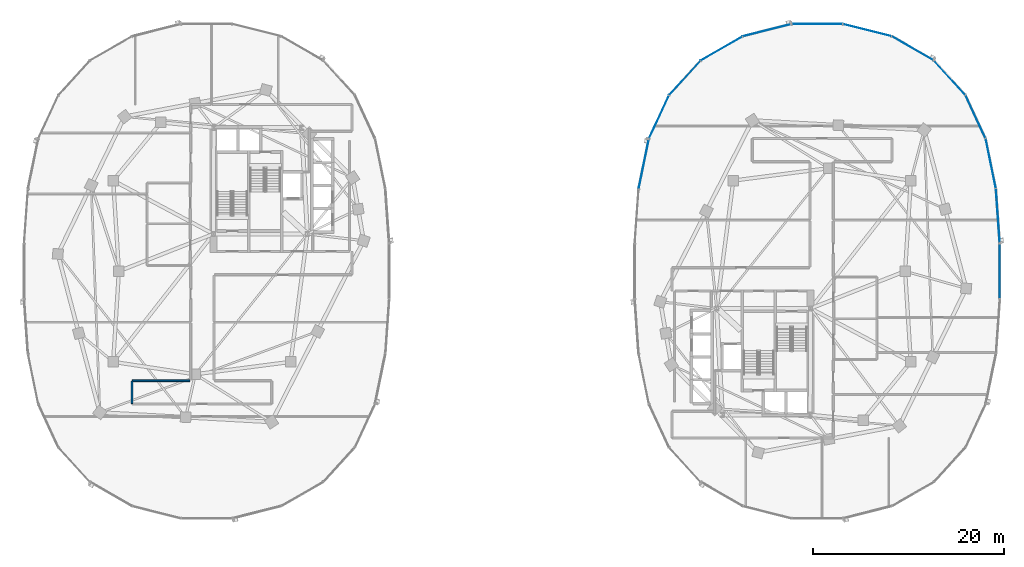
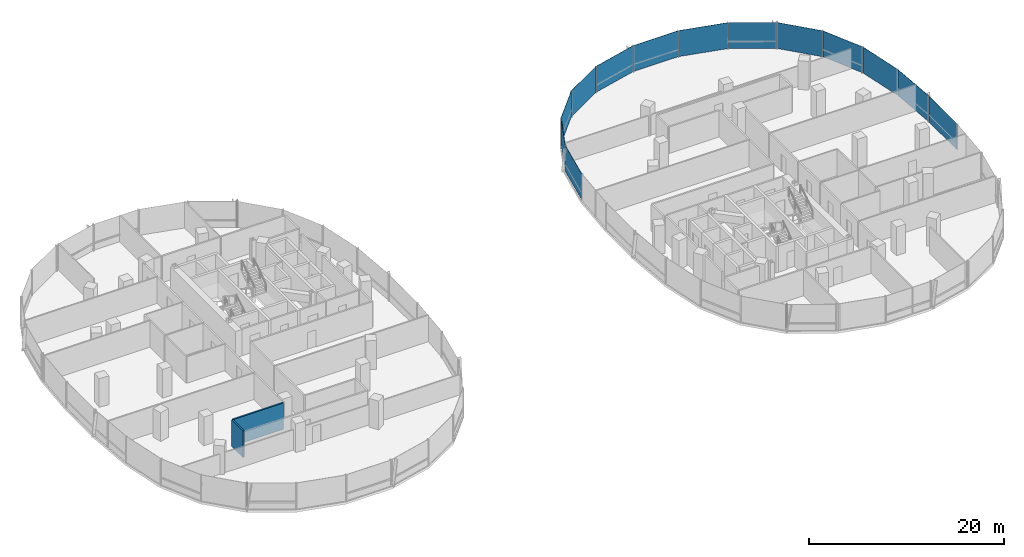
# One storey, part 10 of 21: 13 plates, 2 walls, 3 elements without a shape of their own.
"""IFC4 building model written with IfcOpenShell, lengths in metres."""

from ifc_helpers import new_model, si_unit, direction, frame, frame_2d, origin, origin_2d, place, context, subcontext, project, spatial, rectangle, extrude, material, layer, layer_set, type_object, element, aggregate, save


model = new_model("IFC4")

# Units and contexts
model_context = context("Model", 3, precision=1e-05, world=origin(), true_north=direction((0.0, 1.0)))
body_context = subcontext(model_context, "Body", "Model", "MODEL_VIEW")
ifc_project = project(units=[si_unit("LENGTHUNIT", "METRE"), si_unit("AREAUNIT", "SQUARE_METRE"), si_unit("VOLUMEUNIT", "CUBIC_METRE"), si_unit("PLANEANGLEUNIT", "RADIAN"), si_unit("MASSUNIT", "GRAM", prefix="KILO"), si_unit("THERMODYNAMICTEMPERATUREUNIT", "KELVIN"), si_unit("POWERUNIT", "WATT")], contexts=[model_context])

# Site, building, storey
site_placement = place(None, origin())
site = spatial("IfcSite", under=ifc_project, at=site_placement, CompositionType="ELEMENT")
building_placement = place(site_placement, origin())
building = spatial("IfcBuilding", under=site, at=building_placement, Name="Cundina Bronze Exchange", CompositionType="ELEMENT")
storey_placement = place(building_placement, frame((0.0, 0.0, 117.800048828125)))
storey = spatial("IfcBuildingStorey", under=building, at=storey_placement, Name="L30", CompositionType="ELEMENT", Elevation=117.800048828125)

# Curtain wall, plates
ifc_material_1 = material(Name="Anodised Bronze Aluminium 6063-T6", Category="aluminium")
curtain_wall_type = type_object("IfcCurtainWallType", Name="CWS-TRD-MID", PredefinedType="NOTDEFINED", material=ifc_material_1)
curtain_wall_1_placement = place(storey_placement, origin())
curtain_wall_1 = element("IfcCurtainWall", 1, at=curtain_wall_1_placement, inside=storey, type_object=curtain_wall_type, Name="L30 CW-03 Curtain Wall Run CWR-L30-E1", PredefinedType="NOTDEFINED")
ifc_material_2 = material(Name="Heat-Strengthened Solar-Control Bronze Safety Glass 28mm", Category="glass")
ifc_layer_1 = layer(ifc_material_2, 0.028076171875, Name="Heat-Strengthened Solar-Control Bronze Safety Glass 28mm", Category="glass")
ifc_layer_set_1 = layer_set([ifc_layer_1], Name="Heat-Strengthened Solar-Control Bronze Safety Glass 28mm")
plate_type_1 = type_object("IfcPlateType", Name="PLT-GLZ-VIS28", PredefinedType="CURTAIN_PANEL", material=ifc_layer_set_1)
plate_1_placement = place(storey_placement, frame((50.9267578125, 5.783935546875, 0.02001953125), z_axis=(0.0, 0.0, 1.0), x_axis=(-0.070278787473, 0.997527389113, 0.0)))
plate_1 = element("IfcPlate", 2, at=plate_1_placement, type_object=plate_type_1, Name="CW-03 Glazed Panel 1", PredefinedType="CURTAIN_PANEL", context=body_context, shape_type="SweptSolid", body=[
    extrude(rectangle(XDim=5.644287109375, YDim=0.028076171875, at=origin_2d()), origin(), (0.0, 0.0, 1.0), 3.260009765625),
])
plate_2_placement = place(storey_placement, frame((50.18408203125, 11.269775390625, 0.02001953125), z_axis=(0.0, 0.0, 1.0), x_axis=(-0.201419845156, 0.979505000486, 0.0)))
plate_2 = element("IfcPlate", 3, at=plate_2_placement, type_object=plate_type_1, Name="CW-03 Glazed Panel 2", PredefinedType="CURTAIN_PANEL", context=body_context, shape_type="SweptSolid", body=[
    extrude(rectangle(XDim=5.306640625, YDim=0.028076171875, at=origin_2d()), origin(), (0.0, 0.0, 1.0), 3.260009765625),
])
plate_3_placement = place(storey_placement, frame((48.586181640625, 16.177734375, 0.02001953125), z_axis=(0.0, 0.0, 1.0), x_axis=(-0.42084583328, 0.907132175932, 0.0)))
plate_3 = element("IfcPlate", 4, at=plate_3_placement, type_object=plate_type_1, Name="CW-03 Glazed Panel 3", PredefinedType="CURTAIN_PANEL", context=body_context, shape_type="SweptSolid", body=[
    extrude(rectangle(XDim=4.966552734375, YDim=0.028076171875, at=origin_2d()), origin(), (0.0, 0.0, 1.0), 3.260009765625),
])
plate_4_placement = place(storey_placement, frame((45.8740234375, 20.267333984375, 0.02001953125), z_axis=(0.0, 0.0, 1.0), x_axis=(-0.674276610219, 0.73847887777, 0.0)))
plate_4 = element("IfcPlate", 5, at=plate_4_placement, type_object=plate_type_1, Name="CW-03 Glazed Panel 4", PredefinedType="CURTAIN_PANEL", context=body_context, shape_type="SweptSolid", body=[
    extrude(rectangle(XDim=4.86328125, YDim=0.028076171875, at=origin_2d()), origin(), (0.0, 0.0, 1.0), 3.260009765625),
])
plate_5_placement = place(storey_placement, frame((37.255615234375, 25.256591796875, 0.02001953125), z_axis=(0.0, 0.0, 1.0), x_axis=(-0.969488149345, 0.245138182011, 0.0)))
plate_5 = element("IfcPlate", 6, at=plate_5_placement, type_object=plate_type_1, Name="CW-03 Glazed Panel 6", PredefinedType="CURTAIN_PANEL", context=body_context, shape_type="SweptSolid", body=[
    extrude(rectangle(XDim=5.2333984375, YDim=0.028076171875, at=origin_2d()), origin(), (0.0, 0.0, 1.0), 3.260009765625),
])
plate_6_placement = place(storey_placement, frame((32.0, 25.905029296875, 0.02001953125), z_axis=(0.0, 0.0, 1.0), x_axis=(-1.0, 0.0, 0.0)))
plate_6 = element("IfcPlate", 7, at=plate_6_placement, type_object=plate_type_1, Name="CW-03 Glazed Panel 7", PredefinedType="CURTAIN_PANEL", context=body_context, shape_type="SweptSolid", body=[
    extrude(rectangle(XDim=5.323974609375, YDim=0.028076171875, at=origin_2d()), origin(), (0.0, 0.0, 1.0), 3.260009765625),
])

curtain_wall_2_placement = place(storey_placement, origin())
curtain_wall_2 = element("IfcCurtainWall", 8, at=curtain_wall_2_placement, inside=storey, type_object=curtain_wall_type, Name="L30 CW-03 Curtain Wall Run CWR-L30-E2", PredefinedType="NOTDEFINED")
plate_7_placement = place(storey_placement, frame((26.744384765625, 25.256591796875, 0.02001953125), z_axis=(0.0, 0.0, 1.0), x_axis=(-0.969488149345, -0.245138182011, 0.0)))
plate_7 = element("IfcPlate", 9, at=plate_7_placement, type_object=plate_type_1, Name="CW-03 Glazed Panel 1", PredefinedType="CURTAIN_PANEL", context=body_context, shape_type="SweptSolid", body=[
    extrude(rectangle(XDim=5.2333984375, YDim=0.028076171875, at=origin_2d()), origin(), (0.0, 0.0, 1.0), 3.260009765625),
])
plate_8_placement = place(storey_placement, frame((21.980712890625, 23.34423828125, 0.02001953125), z_axis=(0.0, 0.0, 1.0), x_axis=(-0.867105478933, -0.498124571171, 0.0)))
plate_8 = element("IfcPlate", 10, at=plate_8_placement, type_object=plate_type_1, Name="CW-03 Glazed Panel 2", PredefinedType="CURTAIN_PANEL", context=body_context, shape_type="SweptSolid", body=[
    extrude(rectangle(XDim=5.021240234375, YDim=0.028076171875, at=origin_2d()), origin(), (0.0, 0.0, 1.0), 3.260009765625),
])
plate_9_placement = place(storey_placement, frame((18.1259765625, 20.267333984375, 0.02001953125), z_axis=(0.0, 0.0, 1.0), x_axis=(-0.674276610219, -0.73847887777, 0.0)))
plate_9 = element("IfcPlate", 11, at=plate_9_placement, type_object=plate_type_1, Name="CW-03 Glazed Panel 3", PredefinedType="CURTAIN_PANEL", context=body_context, shape_type="SweptSolid", body=[
    extrude(rectangle(XDim=4.86328125, YDim=0.028076171875, at=origin_2d()), origin(), (0.0, 0.0, 1.0), 3.260009765625),
])
plate_10_placement = place(storey_placement, frame((13.81591796875, 11.269775390625, 0.02001953125), z_axis=(0.0, 0.0, 1.0), x_axis=(-0.201419845156, -0.979505000486, 0.0)))
plate_10 = element("IfcPlate", 12, at=plate_10_placement, type_object=plate_type_1, Name="CW-03 Glazed Panel 5", PredefinedType="CURTAIN_PANEL", context=body_context, shape_type="SweptSolid", body=[
    extrude(rectangle(XDim=5.306640625, YDim=0.028076171875, at=origin_2d()), origin(), (0.0, 0.0, 1.0), 3.260009765625),
])

# Plate
ifc_material_3 = material(Name="Dark Bronze Spandrel Glass Panel 32mm", Category="glass")
ifc_layer_2 = layer(ifc_material_3, 0.031982421875, Name="Dark Bronze Spandrel Glass Panel 32mm", Category="glass")
ifc_layer_set_2 = layer_set([ifc_layer_2], Name="Dark Bronze Spandrel Glass Panel 32mm")
plate_type_2 = type_object("IfcPlateType", Name="PLT-SPN-BRZ32", PredefinedType="CURTAIN_PANEL", material=ifc_layer_set_2)
plate_11_placement = place(storey_placement, frame((42.019287109375, 23.34423828125, 0.02001953125), z_axis=(0.0, 0.0, 1.0), x_axis=(-0.867105478933, 0.498124571171, 0.0)))
plate_11 = element("IfcPlate", 13, at=plate_11_placement, type_object=plate_type_2, Name="CW-03 Glazed Panel 5", PredefinedType="CURTAIN_PANEL", context=body_context, shape_type="SweptSolid", body=[
    extrude(rectangle(XDim=5.021240234375, YDim=0.031982421875, at=origin_2d()), origin(), (0.0, 0.0, 1.0), 3.260009765625),
])

aggregate(curtain_wall_1, [plate_1, plate_2, plate_3, plate_4, plate_11, plate_5, plate_6])

plate_12_placement = place(storey_placement, frame((15.413818359375, 16.177734375, 0.02001953125), z_axis=(0.0, 0.0, 1.0), x_axis=(-0.42084583328, -0.907132175932, 0.0)))
plate_12 = element("IfcPlate", 14, at=plate_12_placement, type_object=plate_type_2, Name="CW-03 Glazed Panel 4", PredefinedType="CURTAIN_PANEL", context=body_context, shape_type="SweptSolid", body=[
    extrude(rectangle(XDim=4.966552734375, YDim=0.031982421875, at=origin_2d()), origin(), (0.0, 0.0, 1.0), 3.260009765625),
])

aggregate(curtain_wall_2, [plate_7, plate_8, plate_9, plate_12, plate_10])

# Curtain wall, plate
curtain_wall_3_placement = place(storey_placement, origin())
curtain_wall_3 = element("IfcCurtainWall", 15, at=curtain_wall_3_placement, inside=storey, type_object=curtain_wall_type, Name="L30 CW-03 Curtain Wall Run CWR-L30-E4", PredefinedType="NOTDEFINED")
plate_13_placement = place(storey_placement, frame((51.1279296875, 0.0, 0.02001953125), z_axis=(0.0, 0.0, 1.0), x_axis=(0.0, 1.0, 0.0)))
plate_13 = element("IfcPlate", 16, at=plate_13_placement, type_object=plate_type_2, Name="CW-03 Glazed Panel 7", PredefinedType="CURTAIN_PANEL", context=body_context, shape_type="SweptSolid", body=[
    extrude(rectangle(XDim=5.77587890625, YDim=0.031982421875, at=origin_2d()), origin(), (0.0, 0.0, 1.0), 3.260009765625),
])
aggregate(curtain_wall_3, [plate_13])

# Walls
ifc_material_4 = material(Name="Gypsum Fireboard Partition EI120")
ifc_layer_3 = layer(ifc_material_4, 0.179931640625, Name="Gypsum Fireboard Partition EI120")
ifc_layer_set_3 = layer_set([ifc_layer_3], Name="Gypsum Fireboard Partition EI120")
wall_type = type_object("IfcWallType", Name="WL-COR-180", PredefinedType="PARTITIONING", material=ifc_layer_set_3)
wall_1_placement = place(storey_placement, frame((-33.75, -11.47998046875, 0.0), z_axis=(0.0, 0.0, 1.0), x_axis=(-1.0, 0.0, 0.0)))
element("IfcWall", 17, at=wall_1_placement, inside=storey, type_object=wall_type, Name="L30 Interior Partition 022", PredefinedType="PARTITIONING", context=body_context, shape_type="SweptSolid", body=[
    extrude(rectangle(XDim=6.028564453125, YDim=0.179931640625, at=frame_2d((3.01416015625, 0.0))), origin(), (0.0, 0.0, 1.0), 3.300048828125),
])
wall_2_placement = place(storey_placement, frame((-39.820068359375, -11.521484375, 0.0), z_axis=(0.0, 0.0, 1.0), x_axis=(0.0, -1.0, 0.0)))
element("IfcWall", 18, at=wall_2_placement, inside=storey, type_object=wall_type, Name="L30 Interior Partition 026", PredefinedType="PARTITIONING", context=body_context, shape_type="SweptSolid", body=[
    extrude(rectangle(XDim=2.35693359375, YDim=0.179931640625, at=frame_2d((1.178466796875, 0.0))), origin(), (0.0, 0.0, 1.0), 3.300048828125),
])

save(model, "model.ifc")
